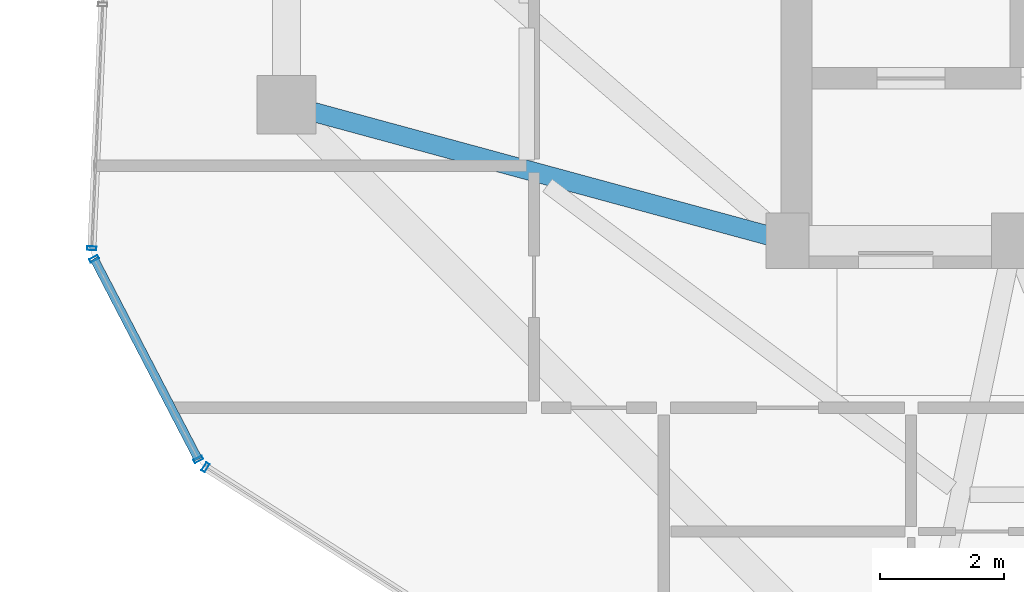
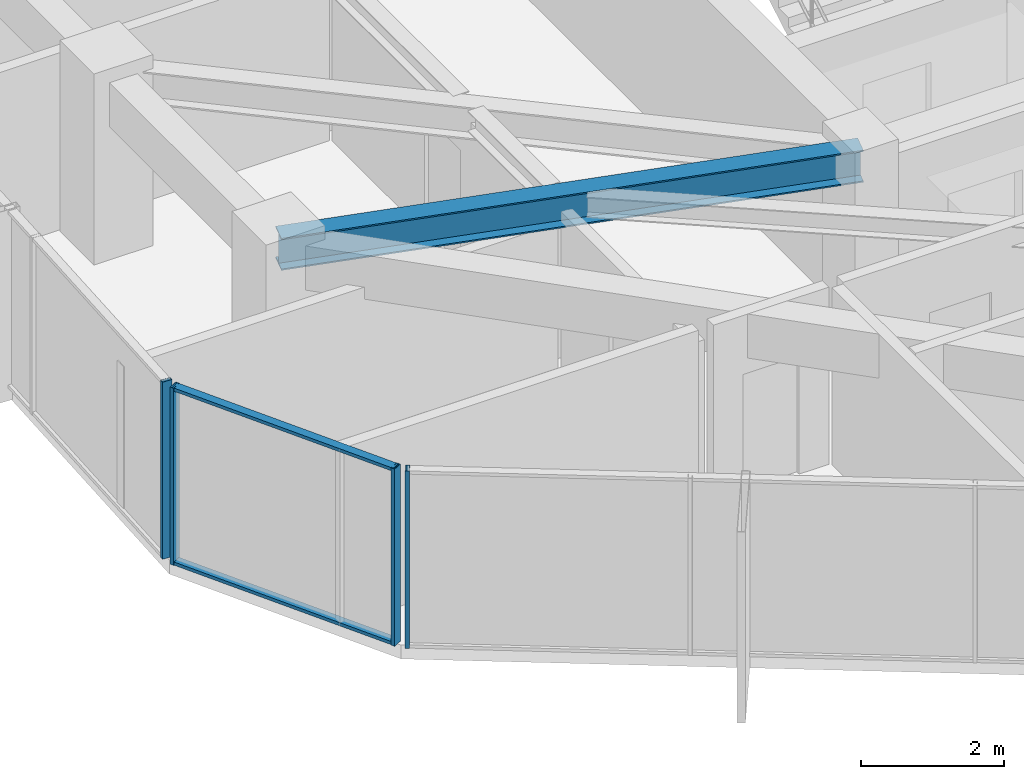
# One storey, part 4 of 29: 6 members, 1 beam, 3 elements without a shape of their own.
"""IFC4 building model written with IfcOpenShell, lengths in metres."""

from ifc_helpers import new_model, si_unit, direction, frame, origin, origin_2d, place, context, subcontext, project, spatial, hollow_rectangle, i_section, extrude, source, transform, mapped, material, layer, layer_set, material_profile, profile_set, type_object, element, aggregate, save


model = new_model("IFC4")

# Units and contexts
model_context = context("Model", 3, precision=1e-05, world=origin(), true_north=direction((0.0, 1.0)))
body_context = subcontext(model_context, "Body", "Model", "MODEL_VIEW")
ifc_project = project(units=[si_unit("LENGTHUNIT", "METRE"), si_unit("AREAUNIT", "SQUARE_METRE"), si_unit("VOLUMEUNIT", "CUBIC_METRE"), si_unit("PLANEANGLEUNIT", "RADIAN"), si_unit("MASSUNIT", "GRAM", prefix="KILO")], contexts=[model_context])

# Site, building, storey
site_placement = place(None, origin())
site = spatial("IfcSite", under=ifc_project, at=site_placement, CompositionType="ELEMENT")
building_placement = place(site_placement, origin())
building = spatial("IfcBuilding", under=site, at=building_placement, Name="Veraguas Prism Commons", CompositionType="ELEMENT")
storey_placement = place(building_placement, frame((0.0, 0.0, 215.64990234375)))
storey = spatial("IfcBuildingStorey", under=building, at=storey_placement, Name="L61", CompositionType="ELEMENT", Elevation=215.64990234375)

# Beam
ifc_material_1 = material(Name="Steel ASTM A992 Grade 50", Category="steel")
ifc_material_profile_1 = material_profile(ifc_material_1, i_section(OverallWidth=0.31103515625, OverallDepth=0.5458984375, WebThickness=0.0146484375, FlangeThickness=0.023681640625, at=origin_2d()), Name="W530X165")
ifc_profile_set_1 = profile_set([ifc_material_profile_1], Name="Steel ASTM A992 Grade 50")
beam_type = type_object("IfcBeamType", Name="Zone 3 Radial Girder W530x165", PredefinedType="BEAM", material=ifc_profile_set_1)
beam_placement = place(storey_placement, frame((9.10009765625, 19.199951171875, 2.7421875), z_axis=(0.965038506703, -0.262108146725, 0.0), x_axis=(0.262108146725, 0.965038506703, 0.0)))
element("IfcBeam", 1, at=beam_placement, inside=storey, type_object=beam_type, Name="Radial Floor Girder L61-RD09", PredefinedType="BEAM", context=body_context, shape_type="SweptSolid", body=[
    extrude(i_section(OverallWidth=0.31103515625, OverallDepth=0.5458984375, WebThickness=0.0146484375, FlangeThickness=0.023681640625, at=origin_2d()), origin(), (0.0, 0.0, 1.0), 8.393310546875),
])

# Curtain wall, member
ifc_material_2 = material(Name="Anodised aluminium EN AW-6063 T6", Category="aluminium")
ifc_layer = layer(ifc_material_2, 0.14990234375, Name="Unitised Flush Curtain Wall Zone 3", Category="aluminium")
ifc_layer_set = layer_set([ifc_layer], Name="Anodised aluminium EN AW-6063 T6")
curtain_wall_type = type_object("IfcCurtainWallType", Name="Unitised Flush Curtain Wall Zone 3", PredefinedType="NOTDEFINED", material=ifc_layer_set)
curtain_wall_1_placement = place(storey_placement, origin())
curtain_wall_1 = element("IfcCurtainWall", 2, at=curtain_wall_1_placement, inside=storey, type_object=curtain_wall_type, Name="Tower Facade Curtain Wall L61-F3", PredefinedType="NOTDEFINED")
ifc_material_profile_2 = material_profile(ifc_material_2, hollow_rectangle(XDim=0.06005859375, YDim=0.14990234375, WallThickness=0.0029296875, at=origin_2d()), Name="AL60X150X3")
ifc_profile_set_2 = profile_set([ifc_material_profile_2], Name="Anodised aluminium EN AW-6063 T6")
member_type_1 = type_object("IfcMemberType", Name="Curtain Wall Mullion Upper AL 60x150x3", PredefinedType="MULLION", material=ifc_profile_set_2)
shared_shape_1 = source(origin(), body_context, "Body", "SweptSolid", [
    extrude(hollow_rectangle(XDim=0.06005859375, YDim=0.14990234375, WallThickness=0.0029296875, at=origin_2d()), origin(), (0.0, 0.0, 1.0), 3.01513671875),
])
member_1_placement = place(storey_placement, frame((5.95361328125, 16.877685546875, 0.0), z_axis=(0.0, 0.0, 1.0), x_axis=(-0.044665564108, -0.999001995685, 0.0)))
member_1 = element("IfcMember", 3, at=member_1_placement, type_object=member_type_1, Name="CW-Z3 Mullion 5", PredefinedType="MULLION", context=body_context, shape_type="MappedRepresentation", body=[
    mapped(shared_shape_1, transform((0.0, 0.0, 0.0), scale=1.0)),
])
aggregate(curtain_wall_1, [member_1])

curtain_wall_2_placement = place(storey_placement, origin())
curtain_wall_2 = element("IfcCurtainWall", 4, at=curtain_wall_2_placement, inside=storey, type_object=curtain_wall_type, Name="Tower Facade Curtain Wall L61-F4", PredefinedType="NOTDEFINED")
member_2_placement = place(storey_placement, frame((7.79248046875, 13.33642578125, 0.0), z_axis=(0.0, 0.0, 1.0), x_axis=(0.842828324641, -0.538182511035, 0.0)))
member_2 = element("IfcMember", 5, at=member_2_placement, type_object=member_type_1, Name="CW-Z3 Mullion 1", PredefinedType="MULLION", context=body_context, shape_type="MappedRepresentation", body=[
    mapped(shared_shape_1, transform((0.0, 0.0, 0.0), scale=1.0)),
])
aggregate(curtain_wall_2, [member_2])

# Curtain wall, members
curtain_wall_3_placement = place(storey_placement, origin())
curtain_wall_3 = element("IfcCurtainWall", 6, at=curtain_wall_3_placement, inside=storey, type_object=curtain_wall_type, Name="Chamfer Curtain Wall L61-C4", PredefinedType="NOTDEFINED")
member_3_placement = place(storey_placement, frame((5.990966796875, 16.7080078125, 0.0), z_axis=(0.0, 0.0, 1.0), x_axis=(0.460836523225, -0.887485041486, 0.0)))
member_3 = element("IfcMember", 7, at=member_3_placement, type_object=member_type_1, Name="CW-Z3 Mullion 1", PredefinedType="MULLION", context=body_context, shape_type="MappedRepresentation", body=[
    mapped(shared_shape_1, transform((0.0, 0.0, 0.0), scale=1.0)),
])
member_4_placement = place(storey_placement, frame((7.67529296875, 13.464599609375, 0.0), z_axis=(0.0, 0.0, 1.0), x_axis=(0.460836523225, -0.887485041486, 0.0)))
member_4 = element("IfcMember", 8, at=member_4_placement, type_object=member_type_1, Name="CW-Z3 Mullion 2", PredefinedType="MULLION", context=body_context, shape_type="MappedRepresentation", body=[
    mapped(shared_shape_1, transform((0.0, 0.0, 0.0), scale=1.0)),
])
ifc_material_profile_3 = material_profile(ifc_material_2, hollow_rectangle(XDim=0.054931640625, YDim=0.135009765625, WallThickness=0.0029296875, at=origin_2d()), Name="AL55X135X3")
ifc_profile_set_3 = profile_set([ifc_material_profile_3], Name="Anodised aluminium EN AW-6063 T6")
member_type_2 = type_object("IfcMemberType", Name="Curtain Wall Transom Standard AL 55x135x3", PredefinedType="USERDEFINED", material=ifc_profile_set_3)
shared_shape_2 = source(origin(), body_context, "Body", "SweptSolid", [
    extrude(hollow_rectangle(XDim=0.054931640625, YDim=0.135009765625, WallThickness=0.0029296875, at=origin_2d()), origin(), (0.0, 0.0, 1.0), 3.65478515625),
])
member_5_placement = place(storey_placement, frame((5.990966796875, 16.7080078125, 0.027587890625), z_axis=(0.460868898431, -0.887468229549, 0.0), x_axis=(0.0, 0.0, 1.0)))
member_5 = element("IfcMember", 9, at=member_5_placement, type_object=member_type_2, Name="CW-Z3 Transom 1", ObjectType="TRANSOM", PredefinedType="USERDEFINED", context=body_context, shape_type="MappedRepresentation", body=[
    mapped(shared_shape_2, transform((0.0, 0.0, 0.0), scale=1.0)),
])
member_6_placement = place(storey_placement, frame((5.990966796875, 16.7080078125, 2.987548828125), z_axis=(0.460868898431, -0.887468229549, 0.0), x_axis=(0.0, 0.0, 1.0)))
member_6 = element("IfcMember", 10, at=member_6_placement, type_object=member_type_2, Name="CW-Z3 Transom 2", ObjectType="TRANSOM", PredefinedType="USERDEFINED", context=body_context, shape_type="MappedRepresentation", body=[
    mapped(shared_shape_2, transform((0.0, 0.0, 0.0), scale=1.0)),
])
aggregate(curtain_wall_3, [member_3, member_4, member_5, member_6])

save(model, "model.ifc")
